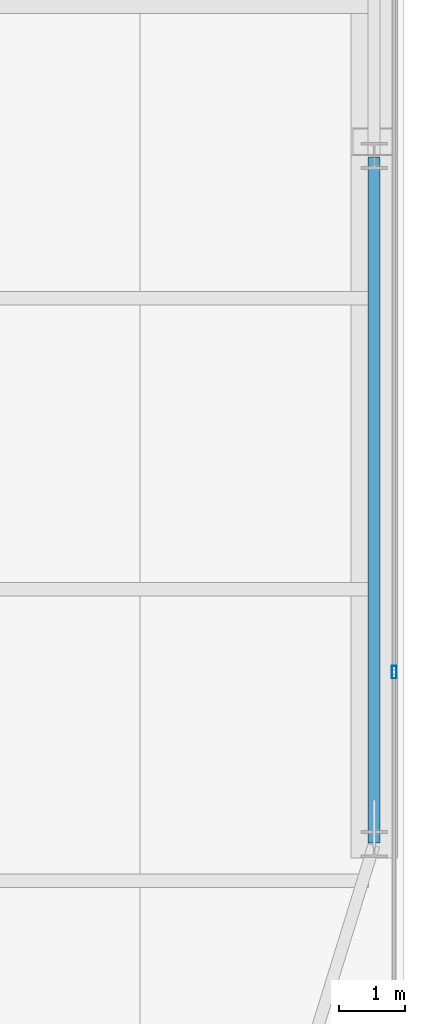
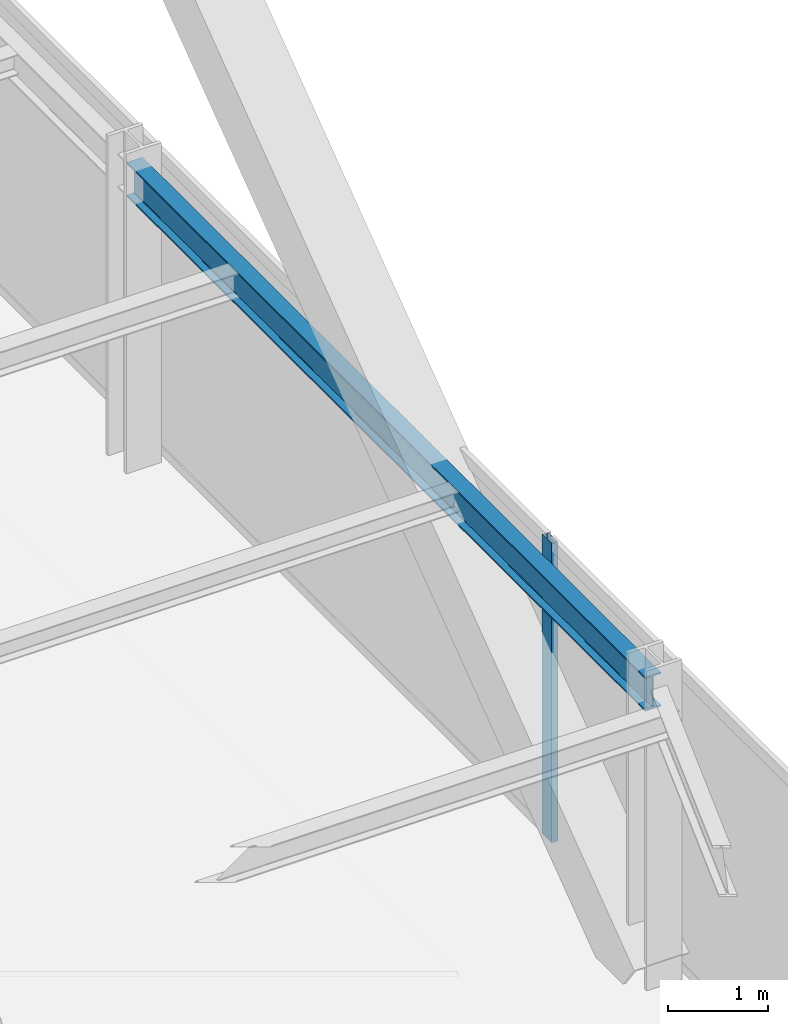
# One storey, part 17 of 32: 1 beam, 1 member, 1 element without a shape of its own.
"""IFC4 building model written with IfcOpenShell, lengths in metres."""

from ifc_helpers import new_model, si_unit, direction, frame, origin, origin_2d, place, context, subcontext, project, spatial, hollow_rectangle, i_section, extrude, source, transform, mapped, material, layer, layer_set, material_profile, profile_set, type_object, type_shapes, element, aggregate, save


model = new_model("IFC4")

# Units and contexts
model_context = context("Model", 3, precision=1e-05, world=origin(), true_north=direction((0.0, 1.0)))
body_context = subcontext(model_context, "Body", "Model", "MODEL_VIEW")
ifc_project = project(units=[si_unit("LENGTHUNIT", "METRE"), si_unit("AREAUNIT", "SQUARE_METRE"), si_unit("VOLUMEUNIT", "CUBIC_METRE"), si_unit("PLANEANGLEUNIT", "RADIAN"), si_unit("MASSUNIT", "GRAM", prefix="KILO")], contexts=[model_context])

# Site, building, storey
site_placement = place(None, origin())
site = spatial("IfcSite", under=ifc_project, at=site_placement, CompositionType="ELEMENT")
building_placement = place(site_placement, origin())
building = spatial("IfcBuilding", under=site, at=building_placement, Name="Varnel Quay Broadcast Tower", CompositionType="ELEMENT")
storey_placement = place(building_placement, frame((0.0, 0.0, 43.199951171875)))
storey = spatial("IfcBuildingStorey", under=building, at=storey_placement, Name="L09", CompositionType="ELEMENT", Elevation=43.199951171875)

# Beam
ifc_material_1 = material(Name="Structural Steel CSA G40.21 350W", Category="steel")
ifc_material_profile_1 = material_profile(ifc_material_1, i_section(OverallWidth=0.180908203125, OverallDepth=0.4169921875, WebThickness=0.010986328125, FlangeThickness=0.018310546875, FilletRadius=0.011962890625, at=origin_2d()), Name="W410X85")
ifc_profile_set_1 = profile_set([ifc_material_profile_1], Name="Structural Steel CSA G40.21 350W")
beam_type = type_object("IfcBeamType", Name="Beam_W410X85", PredefinedType="SPANDREL", material=ifc_profile_set_1)
shared_shape_1 = source(origin(), body_context, "Body", "SweptSolid", [
    extrude(i_section(OverallWidth=0.180908203125, OverallDepth=0.4169921875, WebThickness=0.010986328125, FlangeThickness=0.018310546875, FilletRadius=0.011962890625, at=origin_2d()), origin(), (0.0, 0.0, 1.0), 10.35986328125),
])
type_shapes(beam_type, [shared_shape_1])
beam_placement = place(storey_placement, frame((65.550048828125, 15.02001953125, 3.441650390625), z_axis=(0.0, 1.0, 0.0), x_axis=(-1.0, 0.0, 0.0)))
element("IfcBeam", 1, at=beam_placement, inside=storey, type_object=beam_type, Name="L09 East Spandrel TC-E1-TC-E2", PredefinedType="SPANDREL", context=body_context, shape_type="MappedRepresentation", body=[
    mapped(shared_shape_1, transform((0.0, 0.0, 0.0), x_axis=(1.0, 0.0, 0.0), y_axis=(0.0, 1.0, 0.0), z_axis=(0.0, 0.0, 1.0), scale=1.0)),
])

# Curtain wall, member
ifc_material_2 = material(Name="Anodised Bronze Aluminium 6063-T6", Category="aluminium")
ifc_layer = layer(ifc_material_2, 0.18994140625, Name="Anodised Bronze Aluminium 6063-T6")
ifc_layer_set = layer_set([ifc_layer], Name="Anodised Bronze Aluminium 6063-T6")
curtain_wall_type = type_object("IfcCurtainWallType", Name="CW_LowerTower", PredefinedType="NOTDEFINED", material=ifc_layer_set)
curtain_wall_placement = place(storey_placement, origin())
curtain_wall = element("IfcCurtainWall", 2, at=curtain_wall_placement, inside=storey, type_object=curtain_wall_type, Name="L09 East Unitised Curtain Wall", PredefinedType="NOTDEFINED")
ifc_material_profile_2 = material_profile(ifc_material_2, hollow_rectangle(XDim=0.070068359375, YDim=0.18994140625, WallThickness=0.00390625, at=origin_2d()), Name="ALU70X190X4")
ifc_profile_set_2 = profile_set([ifc_material_profile_2], Name="Anodised Bronze Aluminium 6063-T6")
member_type = type_object("IfcMemberType", Name="Mull_CWS-02", PredefinedType="MULLION", material=ifc_profile_set_2)
shared_shape_2 = source(origin(), body_context, "Body", "SweptSolid", [
    extrude(hollow_rectangle(XDim=0.070068359375, YDim=0.18994140625, WallThickness=0.00390625, at=origin_2d()), origin(), (0.0, 0.0, 1.0), 3.650146484375),
])
type_shapes(member_type, [shared_shape_2])
member_placement = place(storey_placement, frame((65.85009765625, 17.60009765625, 0.0), z_axis=(0.0, 0.0, 1.0), x_axis=(-1.0, 0.0, 0.0)))
member = element("IfcMember", 3, at=member_placement, type_object=member_type, Name="CWS-02 mullion 2", PredefinedType="MULLION", context=body_context, shape_type="MappedRepresentation", body=[
    mapped(shared_shape_2, transform((0.0, 0.0, 0.0), x_axis=(1.0, 0.0, 0.0), y_axis=(0.0, 1.0, 0.0), z_axis=(0.0, 0.0, 1.0), scale=1.0)),
])
aggregate(curtain_wall, [member])

save(model, "model.ifc")
